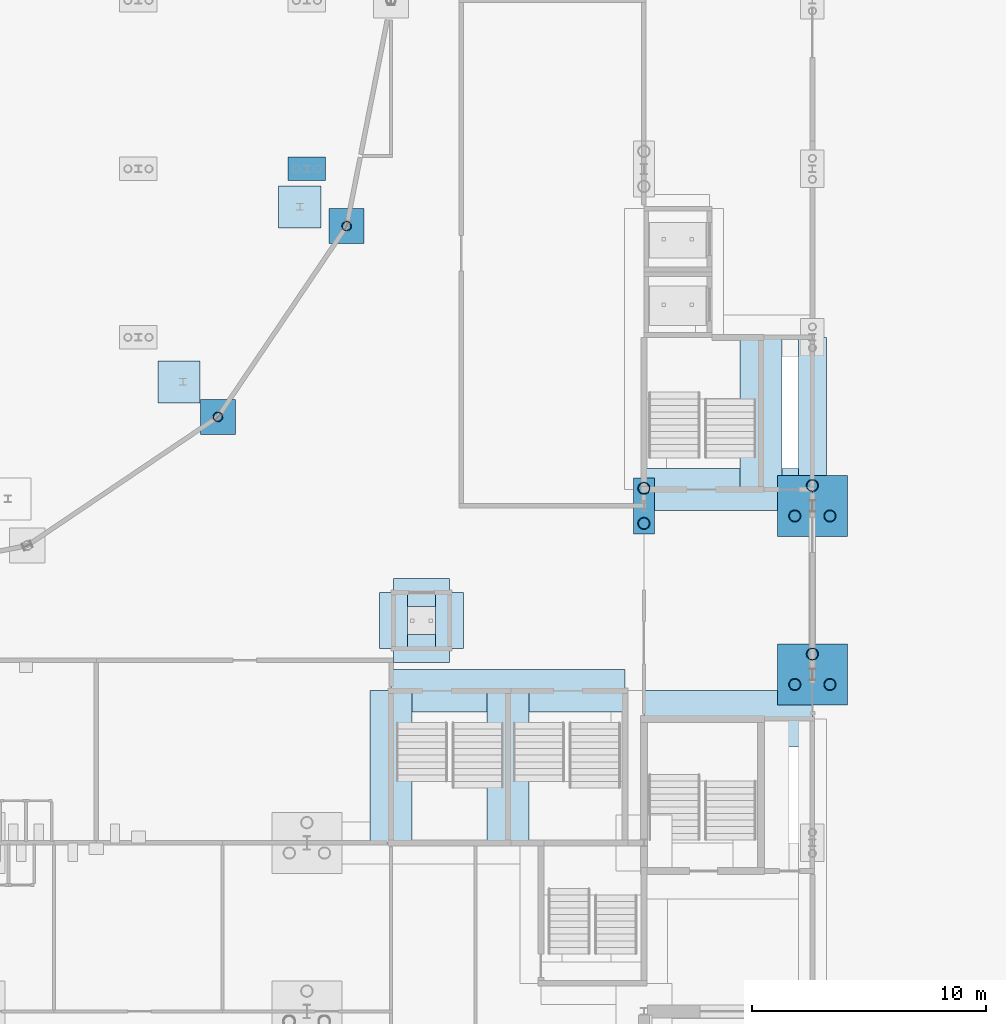
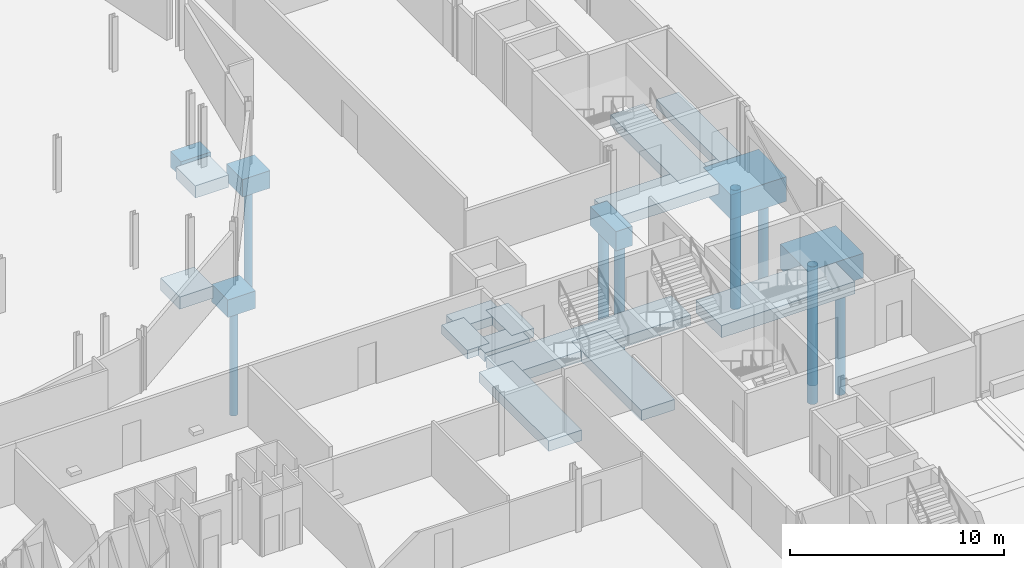
# One storey, part 12 of 148: 19 footings, 10 piles.
"""IFC4 building model written with IfcOpenShell, lengths in metres."""

from ifc_helpers import new_model, si_unit, direction, frame, origin, origin_2d, place, context, subcontext, project, spatial, rectangle, hollow_circle, extrude, material, layer, layer_set, material_profile, profile_set, type_object, element, save


model = new_model("IFC4")

# Units and contexts
model_context = context("Model", 3, precision=1e-05, world=origin(), true_north=direction((0.0, 1.0)))
body_context = subcontext(model_context, "Body", "Model", "MODEL_VIEW")
ifc_project = project(units=[si_unit("LENGTHUNIT", "METRE"), si_unit("AREAUNIT", "SQUARE_METRE"), si_unit("VOLUMEUNIT", "CUBIC_METRE"), si_unit("PLANEANGLEUNIT", "RADIAN"), si_unit("MASSUNIT", "GRAM", prefix="KILO")], contexts=[model_context])

# Site, building, storey
site_placement = place(None, origin())
site = spatial("IfcSite", under=ifc_project, at=site_placement, CompositionType="ELEMENT")
building_placement = place(site_placement, origin())
building = spatial("IfcBuilding", under=site, at=building_placement, Name="Kupolbacken Congress Centre", CompositionType="ELEMENT")
storey_placement = place(building_placement, origin())
storey = spatial("IfcBuildingStorey", under=building, at=storey_placement, Name="L00", CompositionType="ELEMENT", Elevation=0.0)

# Footings
ifc_material_1 = material(Name="Concrete C30/37", Category="concrete")
ifc_layer_1 = layer(ifc_material_1, 1.10009765625)
ifc_layer_set_1 = layer_set([ifc_layer_1], Name="Concrete C30/37")
footing_type_1 = type_object("IfcFootingType", Name="PC2 pile cap 2.40 x 0.90 x 1.10 m", PredefinedType="PILE_CAP", material=ifc_layer_set_1)
footing_1_placement = place(storey_placement, frame((79.199951171875, 64.800048828125, -1.400146484375), z_axis=(0.0, 0.0, 1.0), x_axis=(1.0, 0.0, 0.0)))
element("IfcFooting", 1, at=footing_1_placement, inside=storey, type_object=footing_type_1, Name="S/fnd/C-P-12K/cap", PredefinedType="PILE_CAP", context=body_context, shape_type="SweptSolid", body=[
    extrude(rectangle(XDim=0.89990234375, YDim=2.39990234375, at=origin_2d()), origin(), (0.0, 0.0, 1.0), 1.10009765625),
])
ifc_material_2 = material(Name="Concrete C30/37", Category="concrete")
ifc_layer_2 = layer(ifc_material_2, 1.39990234375)
ifc_layer_set_2 = layer_set([ifc_layer_2], Name="Concrete C30/37")
footing_type_2 = type_object("IfcFootingType", Name="PC5 pile cap 3.00 x 2.60 x 1.40 m", PredefinedType="PILE_CAP", material=ifc_layer_set_2)
for number, where, z_axis, x_axis, name in (
    (2, (86.39990234375, 57.60009765625, -1.699951171875), (0.0, 0.0, 1.0), (1.0, 0.0, 0.0), "S/fnd/C-H-PW03/cap"),
    (3, (86.39990234375, 64.800048828125, -1.699951171875), (0.0, 0.0, 1.0), (1.0, 0.0, 0.0), "S/fnd/C-H-PW04/cap"),
):
    element("IfcFooting", number, at=place(storey_placement, frame(where, z_axis=z_axis, x_axis=x_axis)), inside=storey, type_object=footing_type_2, Name=name, PredefinedType="PILE_CAP", context=body_context, shape_type="SweptSolid", body=[
        extrude(rectangle(XDim=3.0, YDim=2.60009765625, at=origin_2d()), origin(), (0.0, 0.0, 1.0), 1.39990234375),
    ])
ifc_material_3 = material(Name="Concrete C30/37", Category="concrete")
ifc_layer_3 = layer(ifc_material_3, 0.89990234375)
ifc_layer_set_3 = layer_set([ifc_layer_3], Name="Concrete C30/37")
footing_type_3 = type_object("IfcFootingType", Name="PC7 pile cap 1.60 x 1.00 x 0.90 m", PredefinedType="PILE_CAP", material=ifc_layer_set_3)
footing_2_placement = place(storey_placement, frame((64.800048828125, 79.199951171875, -1.199951171875), z_axis=(0.0, 0.0, 1.0), x_axis=(1.0, 0.0, 0.0)))
element("IfcFooting", 4, at=footing_2_placement, inside=storey, type_object=footing_type_3, Name="S/fnd/C-PL-648-792/cap", PredefinedType="PILE_CAP", context=body_context, shape_type="SweptSolid", body=[
    extrude(rectangle(XDim=1.60009765625, YDim=1.0, at=origin_2d()), origin(), (0.0, 0.0, 1.0), 0.89990234375),
])
ifc_material_4 = material(Name="Concrete C30/37", Category="concrete")
ifc_layer_4 = layer(ifc_material_4, 1.0)
ifc_layer_set_4 = layer_set([ifc_layer_4], Name="Concrete C30/37")
footing_type_4 = type_object("IfcFootingType", Name="PC8 pile cap 1.50 x 1.50 x 1.00 m", PredefinedType="PILE_CAP", material=ifc_layer_set_4)
for number, where, z_axis, x_axis, name in (
    (5, (61.0, 68.60009765625, -1.300048828125), (0.0, 0.0, 1.0), (1.0, 0.0, 0.0), "S/fnd/C-D15/cap"),
    (6, (66.5, 76.75, -1.300048828125), (0.0, 0.0, 1.0), (1.0, 0.0, 0.0), "S/fnd/C-D16/cap"),
):
    element("IfcFooting", number, at=place(storey_placement, frame(where, z_axis=z_axis, x_axis=x_axis)), inside=storey, type_object=footing_type_4, Name=name, PredefinedType="PILE_CAP", context=body_context, shape_type="SweptSolid", body=[
        extrude(rectangle(XDim=1.5, YDim=1.5, at=origin_2d()), origin(), (0.0, 0.0, 1.0), 1.0),
    ])
ifc_material_5 = material(Name="Concrete C30/37", Category="concrete")
ifc_layer_5 = layer(ifc_material_5, 0.699951171875)
ifc_layer_set_5 = layer_set([ifc_layer_5], Name="Concrete C30/37")
footing_type_5 = type_object("IfcFootingType", Name="PD4 pad footing 1.80 x 1.80 x 0.70 m", PredefinedType="PAD_FOOTING", material=ifc_layer_set_5)
for number, where, z_axis, x_axis, name in (
    (7, (59.3349609375, 70.0849609375, -1.0), (0.0, 0.0, 1.0), (1.0, 0.0, 0.0), "PD/ring/pad/3150"),
    (8, (64.49365234375, 77.565673828125, -1.0), (0.0, 0.0, 1.0), (1.0, 0.0, 0.0), "PD/ring/pad/3375"),
):
    element("IfcFooting", number, at=place(storey_placement, frame(where, z_axis=z_axis, x_axis=x_axis)), inside=storey, type_object=footing_type_5, Name=name, PredefinedType="PAD_FOOTING", context=body_context, shape_type="SweptSolid", body=[
        extrude(rectangle(XDim=1.800048828125, YDim=1.800048828125, at=origin_2d()), origin(), (0.0, 0.0, 1.0), 0.699951171875),
    ])

# Piles
ifc_material_6 = material(Name="Steel S355", Category="steel")
ifc_material_profile_1 = material_profile(ifc_material_6, hollow_circle(Radius=0.203125, WallThickness=0.01611328125, at=origin_2d()), Name="CHS 406.4 x 16")
ifc_profile_set_1 = profile_set([ifc_material_profile_1], Name="Steel S355")
pile_type_1 = type_object("IfcPileType", Name="PL2 steel tube pile CHS 406.4 x 16", PredefinedType="BORED", material=ifc_profile_set_1)
for number, where, z_axis, x_axis, name in (
    (9, (61.0, 68.60009765625, -1.300048828125), (0.0, 0.0, -1.0), (1.0, 0.0, 0.0), "S/fnd/C-D15/pile1"),
    (10, (66.5, 76.75, -1.300048828125), (0.0, 0.0, -1.0), (1.0, 0.0, 0.0), "S/fnd/C-D16/pile1"),
):
    element("IfcPile", number, at=place(storey_placement, frame(where, z_axis=z_axis, x_axis=x_axis)), inside=storey, type_object=pile_type_1, Name=name, PredefinedType="BORED", context=body_context, shape_type="SweptSolid", body=[
        extrude(hollow_circle(Radius=0.203125, WallThickness=0.01611328125, at=origin_2d()), origin(), (0.0, 0.0, 1.0), 6.199951171875),
    ])
ifc_material_7 = material(Name="Steel S355", Category="steel")
ifc_material_profile_2 = material_profile(ifc_material_7, hollow_circle(Radius=0.25390625, WallThickness=0.02001953125, at=origin_2d()), Name="CHS 508 x 20")
ifc_profile_set_2 = profile_set([ifc_material_profile_2], Name="Steel S355")
pile_type_2 = type_object("IfcPileType", Name="PL3 steel tube pile CHS 508 x 20", PredefinedType="BORED", material=ifc_profile_set_2)
for number, where, z_axis, x_axis, name in (
    (11, (79.199951171875, 64.050048828125, -1.39990234375), (0.0, 0.0, -1.0), (1.0, 0.0, 0.0), "S/fnd/C-P-12K/pile1"),
    (12, (79.199951171875, 65.550048828125, -1.39990234375), (0.0, 0.0, -1.0), (1.0, 0.0, 0.0), "S/fnd/C-P-12K/pile2"),
):
    element("IfcPile", number, at=place(storey_placement, frame(where, z_axis=z_axis, x_axis=x_axis)), inside=storey, type_object=pile_type_2, Name=name, PredefinedType="BORED", context=body_context, shape_type="SweptSolid", body=[
        extrude(hollow_circle(Radius=0.25390625, WallThickness=0.02001953125, at=origin_2d()), origin(), (0.0, 0.0, 1.0), 6.10009765625),
    ])
for number, where, z_axis, x_axis, name in (
    (13, (85.64990234375, 57.16650390625, -1.699951171875), (0.0, 0.0, -1.0), (1.0, 0.0, 0.0), "S/fnd/C-H-PW03/pile1"),
    (14, (87.14990234375, 57.16650390625, -1.699951171875), (0.0, 0.0, -1.0), (1.0, 0.0, 0.0), "S/fnd/C-H-PW03/pile2"),
    (15, (86.39990234375, 58.465576171875, -1.699951171875), (0.0, 0.0, -1.0), (1.0, 0.0, 0.0), "S/fnd/C-H-PW03/pile3"),
    (16, (85.64990234375, 64.366455078125, -1.699951171875), (0.0, 0.0, -1.0), (1.0, 0.0, 0.0), "S/fnd/C-H-PW04/pile1"),
    (17, (87.14990234375, 64.366455078125, -1.699951171875), (0.0, 0.0, -1.0), (1.0, 0.0, 0.0), "S/fnd/C-H-PW04/pile2"),
    (18, (86.39990234375, 65.66552734375, -1.699951171875), (0.0, 0.0, -1.0), (1.0, 0.0, 0.0), "S/fnd/C-H-PW04/pile3"),
):
    element("IfcPile", number, at=place(storey_placement, frame(where, z_axis=z_axis, x_axis=x_axis)), inside=storey, type_object=pile_type_2, Name=name, PredefinedType="BORED", context=body_context, shape_type="SweptSolid", body=[
        extrude(hollow_circle(Radius=0.25390625, WallThickness=0.02001953125, at=origin_2d()), origin(), (0.0, 0.0, 1.0), 6.800048828125),
    ])

# Footings
ifc_material_8 = material(Name="Concrete C30/37", Category="concrete")
ifc_layer_6 = layer(ifc_material_8, 0.5)
ifc_layer_set_6 = layer_set([ifc_layer_6], Name="Concrete C30/37")
footing_type_6 = type_object("IfcFootingType", Name="SF1 strip footing 1.20 x 0.50 m", PredefinedType="STRIP_FOOTING", material=ifc_layer_set_6)
footing_3_placement = place(storey_placement, frame((86.39990234375, 68.75, -0.800048828125), z_axis=(0.0, 0.0, 1.0), x_axis=(0.0, 1.0, 0.0)))
element("IfcFooting", 19, at=footing_3_placement, inside=storey, type_object=footing_type_6, Name="S/fnd/core/048", PredefinedType="STRIP_FOOTING", context=body_context, shape_type="SweptSolid", body=[
    extrude(rectangle(XDim=6.5, YDim=1.199951171875, at=origin_2d()), origin(), (0.0, 0.0, 1.0), 0.5),
])
for number, where, z_axis, x_axis, name in (
    (20, (69.699951171875, 58.699951171875, -0.800048828125), (0.0, 0.0, 1.0), (1.0, 0.0, 0.0), "S/fnd/lift/021"),
    (21, (70.89990234375, 59.89990234375, -0.800048828125), (0.0, 0.0, 1.0), (0.0, 1.0, 0.0), "S/fnd/lift/022"),
    (22, (69.699951171875, 61.10009765625, -0.800048828125), (0.0, 0.0, 1.0), (1.0, 0.0, 0.0), "S/fnd/lift/023"),
    (23, (68.5, 59.89990234375, -0.800048828125), (0.0, 0.0, 1.0), (0.0, 1.0, 0.0), "S/fnd/lift/024"),
):
    element("IfcFooting", number, at=place(storey_placement, frame(where, z_axis=z_axis, x_axis=x_axis)), inside=storey, type_object=footing_type_6, Name=name, PredefinedType="STRIP_FOOTING", context=body_context, shape_type="SweptSolid", body=[
        extrude(rectangle(XDim=2.39990234375, YDim=1.199951171875, at=origin_2d()), origin(), (0.0, 0.0, 1.0), 0.5),
    ])
ifc_material_9 = material(Name="Concrete C30/37", Category="concrete")
ifc_layer_7 = layer(ifc_material_9, 0.60009765625)
ifc_layer_set_7 = layer_set([ifc_layer_7], Name="Concrete C30/37")
footing_type_7 = type_object("IfcFootingType", Name="SF2 strip footing 1.80 x 0.60 m", PredefinedType="STRIP_FOOTING", material=ifc_layer_set_7)
for number, where, z_axis, x_axis, name in (
    (24, (73.39990234375, 53.64990234375, -0.900146484375), (0.0, 0.0, 1.0), (0.0, 1.0, 0.0), "S/fnd/core/029"),
    (25, (68.39990234375, 53.64990234375, -0.900146484375), (0.0, 0.0, 1.0), (0.0, 1.0, 0.0), "S/fnd/core/040"),
):
    element("IfcFooting", number, at=place(storey_placement, frame(where, z_axis=z_axis, x_axis=x_axis)), inside=storey, type_object=footing_type_7, Name=name, PredefinedType="STRIP_FOOTING", context=body_context, shape_type="SweptSolid", body=[
        extrude(rectangle(XDim=6.5, YDim=1.800048828125, at=origin_2d()), origin(), (0.0, 0.0, 1.0), 0.60009765625),
    ])
footing_4_placement = place(storey_placement, frame((73.39990234375, 56.89990234375, -0.900146484375), z_axis=(0.0, 0.0, 1.0), x_axis=(1.0, 0.0, 0.0)))
element("IfcFooting", 26, at=footing_4_placement, inside=storey, type_object=footing_type_7, Name="S/fnd/core/041", PredefinedType="STRIP_FOOTING", context=body_context, shape_type="SweptSolid", body=[
    extrude(rectangle(XDim=10.0, YDim=1.800048828125, at=origin_2d()), origin(), (0.0, 0.0, 1.0), 0.60009765625),
])
footing_5_placement = place(storey_placement, frame((82.800048828125, 65.5, -0.900146484375), z_axis=(0.0, 0.0, 1.0), x_axis=(1.0, 0.0, 0.0)))
element("IfcFooting", 27, at=footing_5_placement, inside=storey, type_object=footing_type_7, Name="S/fnd/core/045", PredefinedType="STRIP_FOOTING", context=body_context, shape_type="SweptSolid", body=[
    extrude(rectangle(XDim=7.199951171875, YDim=1.800048828125, at=origin_2d()), origin(), (0.0, 0.0, 1.0), 0.60009765625),
])
footing_6_placement = place(storey_placement, frame((84.199951171875, 68.75, -0.900146484375), z_axis=(0.0, 0.0, 1.0), x_axis=(0.0, 1.0, 0.0)))
element("IfcFooting", 28, at=footing_6_placement, inside=storey, type_object=footing_type_7, Name="S/fnd/core/047", PredefinedType="STRIP_FOOTING", context=body_context, shape_type="SweptSolid", body=[
    extrude(rectangle(XDim=6.5, YDim=1.800048828125, at=origin_2d()), origin(), (0.0, 0.0, 1.0), 0.60009765625),
])
ifc_material_10 = material(Name="Concrete C30/37", Category="concrete")
ifc_layer_8 = layer(ifc_material_10, 0.699951171875)
ifc_layer_set_8 = layer_set([ifc_layer_8], Name="Concrete C30/37")
footing_type_8 = type_object("IfcFootingType", Name="SF3 strip footing 2.40 x 0.70 m", PredefinedType="STRIP_FOOTING", material=ifc_layer_set_8)
footing_7_placement = place(storey_placement, frame((82.800048828125, 55.699951171875, -1.0), z_axis=(0.0, 0.0, 1.0), x_axis=(1.0, 0.0, 0.0)))
element("IfcFooting", 29, at=footing_7_placement, inside=storey, type_object=footing_type_8, Name="S/fnd/core/038", PredefinedType="STRIP_FOOTING", context=body_context, shape_type="SweptSolid", body=[
    extrude(rectangle(XDim=7.199951171875, YDim=2.39990234375, at=origin_2d()), origin(), (0.0, 0.0, 1.0), 0.699951171875),
])

save(model, "model.ifc")
